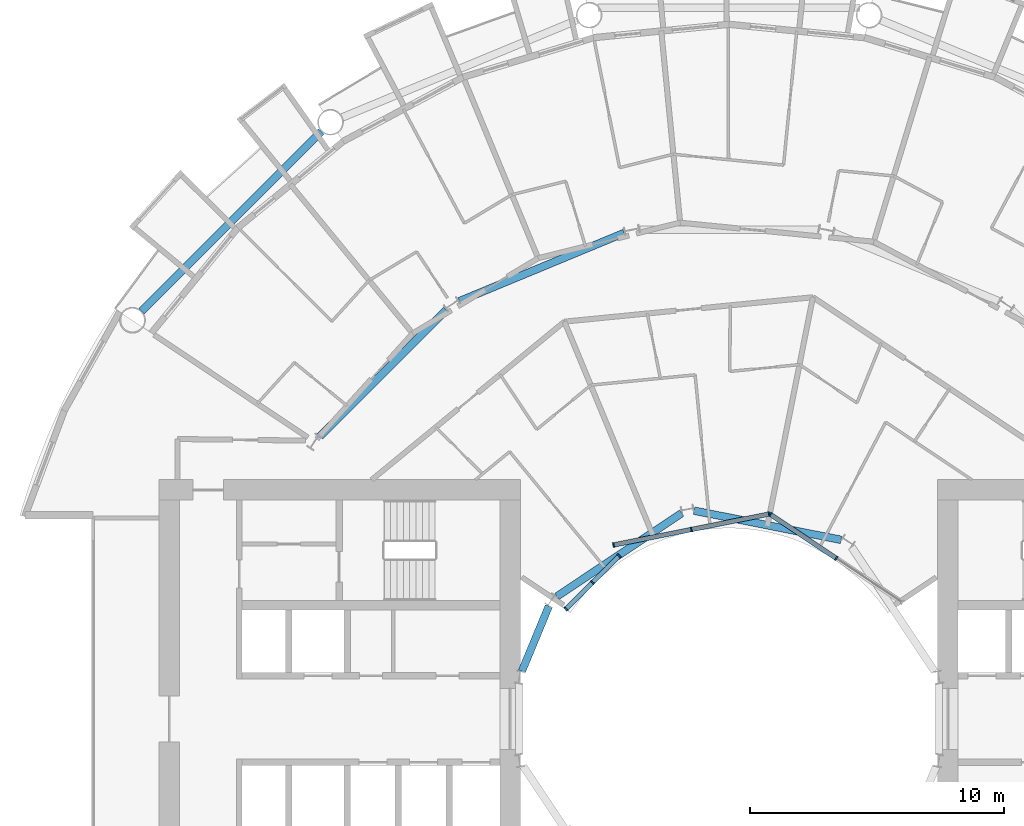
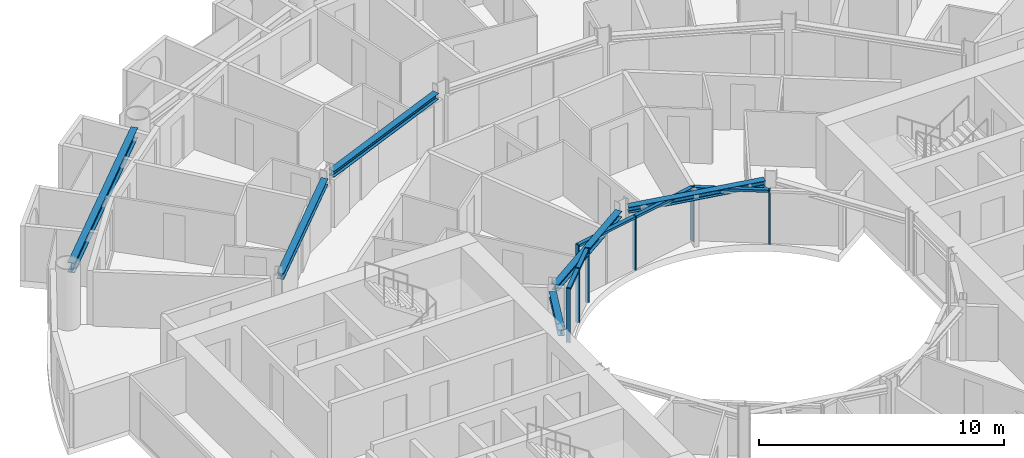
# One storey, part 7 of 26: 13 members, 6 beams, 3 elements without a shape of their own.
"""IFC4 building model written with IfcOpenShell, lengths in metres."""

from ifc_helpers import new_model, si_unit, direction, frame, origin, origin_2d, place, context, subcontext, project, spatial, rectangle, i_section, extrude, material, layer, layer_set, material_profile, profile_set, type_object, element, aggregate, save


model = new_model("IFC4")

# Units and contexts
model_context = context("Model", 3, precision=1e-05, world=origin(), true_north=direction((0.0, 1.0)))
body_context = subcontext(model_context, "Body", "Model", "MODEL_VIEW")
ifc_project = project(units=[si_unit("LENGTHUNIT", "METRE"), si_unit("AREAUNIT", "SQUARE_METRE"), si_unit("VOLUMEUNIT", "CUBIC_METRE"), si_unit("PLANEANGLEUNIT", "RADIAN"), si_unit("MASSUNIT", "GRAM", prefix="KILO")], contexts=[model_context])

# Site, building, storey
site_placement = place(None, origin())
site = spatial("IfcSite", under=ifc_project, at=site_placement, CompositionType="ELEMENT")
building_placement = place(site_placement, origin())
building = spatial("IfcBuilding", under=site, at=building_placement, Name="Maasbend Ring Residences", CompositionType="ELEMENT")
storey_placement = place(building_placement, frame((0.0, 0.0, 22.800048828125)))
storey = spatial("IfcBuildingStorey", under=building, at=storey_placement, Name="L05", CompositionType="ELEMENT", Elevation=22.800048828125)

# Curtain wall, members
ifc_material_1 = material(Name="Aluminium and clear glass", Category="aluminium")
ifc_layer = layer(ifc_material_1, 0.179931640625)
ifc_layer_set = layer_set([ifc_layer], Name="CW-W")
curtain_wall_type = type_object("IfcCurtainWallType", Name="CW-W", PredefinedType="NOTDEFINED", material=ifc_layer_set)
curtain_wall_1_placement = place(storey_placement, origin())
curtain_wall_1 = element("IfcCurtainWall", 1, at=curtain_wall_1_placement, inside=storey, type_object=curtain_wall_type, Name="Well curtain wall N1", PredefinedType="NOTDEFINED")
ifc_material_2 = material(Name="Aluminium 6063-T6", Category="aluminium")
ifc_material_profile_1 = material_profile(ifc_material_2, rectangle(XDim=0.179931640625, YDim=0.06005859375, at=origin_2d()), Name="AL 180x60")
ifc_profile_set_1 = profile_set([ifc_material_profile_1], Name="Aluminium 6063-T6")
member_type_1 = type_object("IfcMemberType", Name="CWM-W", PredefinedType="MULLION", material=ifc_profile_set_1)
member_1_placement = place(storey_placement, frame((4.216796875, 6.310791015625, 0.0), z_axis=(0.0, 0.0, 1.0), x_axis=(-0.55557023302, -0.831469612303, 0.0)))
member_1 = element("IfcMember", 2, at=member_1_placement, type_object=member_type_1, Name="Mullion well face", PredefinedType="MULLION", context=body_context, shape_type="SweptSolid", body=[
    extrude(rectangle(XDim=0.179931640625, YDim=0.06005859375, at=origin_2d()), origin(), (0.0, 0.0, 1.0), 2.699951171875),
])
member_2_placement = place(storey_placement, frame((1.627685546875, 8.040771484375, 0.0), z_axis=(0.0, 0.0, 1.0), x_axis=(-0.55557023302, -0.831469612303, 0.0)))
member_2 = element("IfcMember", 3, at=member_2_placement, type_object=member_type_1, Name="Mullion well face", PredefinedType="MULLION", context=body_context, shape_type="SweptSolid", body=[
    extrude(rectangle(XDim=0.179931640625, YDim=0.06005859375, at=origin_2d()), origin(), (0.0, 0.0, 1.0), 2.699951171875),
])

curtain_wall_2_placement = place(storey_placement, origin())
curtain_wall_2 = element("IfcCurtainWall", 4, at=curtain_wall_2_placement, inside=storey, type_object=curtain_wall_type, Name="Well curtain wall N2", PredefinedType="NOTDEFINED")
member_3_placement = place(storey_placement, frame((1.5732421875, 8.0517578125, 0.0), z_axis=(0.0, 0.0, 1.0), x_axis=(0.195090322016, -0.980785280403, 0.0)))
member_3 = element("IfcMember", 5, at=member_3_placement, type_object=member_type_1, Name="Mullion well face", PredefinedType="MULLION", context=body_context, shape_type="SweptSolid", body=[
    extrude(rectangle(XDim=0.179931640625, YDim=0.06005859375, at=origin_2d()), origin(), (0.0, 0.0, 1.0), 2.699951171875),
])
member_4_placement = place(storey_placement, frame((-1.480712890625, 7.444091796875, 0.0), z_axis=(0.0, 0.0, 1.0), x_axis=(0.195090322016, -0.980785280403, 0.0)))
member_4 = element("IfcMember", 6, at=member_4_placement, type_object=member_type_1, Name="Mullion well face", PredefinedType="MULLION", context=body_context, shape_type="SweptSolid", body=[
    extrude(rectangle(XDim=0.179931640625, YDim=0.06005859375, at=origin_2d()), origin(), (0.0, 0.0, 1.0), 2.699951171875),
])
member_5_placement = place(storey_placement, frame((-4.53466796875, 6.836669921875, 0.0), z_axis=(0.0, 0.0, 1.0), x_axis=(0.195090322016, -0.980785280403, 0.0)))
member_5 = element("IfcMember", 7, at=member_5_placement, type_object=member_type_1, Name="Mullion well face", PredefinedType="MULLION", context=body_context, shape_type="SweptSolid", body=[
    extrude(rectangle(XDim=0.179931640625, YDim=0.06005859375, at=origin_2d()), origin(), (0.0, 0.0, 1.0), 2.699951171875),
])

curtain_wall_3_placement = place(storey_placement, origin())
curtain_wall_3 = element("IfcCurtainWall", 8, at=curtain_wall_3_placement, inside=storey, type_object=curtain_wall_type, Name="Well curtain wall N3", PredefinedType="NOTDEFINED")
member_6_placement = place(storey_placement, frame((-4.320556640625, 6.413330078125, 0.0), z_axis=(0.0, 0.0, 1.0), x_axis=(0.707106781187, -0.707106781187, 0.0)))
member_6 = element("IfcMember", 9, at=member_6_placement, type_object=member_type_1, Name="Mullion well face", PredefinedType="MULLION", context=body_context, shape_type="SweptSolid", body=[
    extrude(rectangle(XDim=0.179931640625, YDim=0.06005859375, at=origin_2d()), origin(), (0.0, 0.0, 1.0), 2.699951171875),
])
member_7_placement = place(storey_placement, frame((-5.366943359375, 5.366943359375, 0.0), z_axis=(0.0, 0.0, 1.0), x_axis=(0.707106781187, -0.707106781187, 0.0)))
member_7 = element("IfcMember", 10, at=member_7_placement, type_object=member_type_1, Name="Mullion well face", PredefinedType="MULLION", context=body_context, shape_type="SweptSolid", body=[
    extrude(rectangle(XDim=0.179931640625, YDim=0.06005859375, at=origin_2d()), origin(), (0.0, 0.0, 1.0), 2.699951171875),
])
member_8_placement = place(storey_placement, frame((-6.413330078125, 4.320556640625, 0.0), z_axis=(0.0, 0.0, 1.0), x_axis=(0.707106781187, -0.707106781187, 0.0)))
member_8 = element("IfcMember", 11, at=member_8_placement, type_object=member_type_1, Name="Mullion well face", PredefinedType="MULLION", context=body_context, shape_type="SweptSolid", body=[
    extrude(rectangle(XDim=0.179931640625, YDim=0.06005859375, at=origin_2d()), origin(), (0.0, 0.0, 1.0), 2.699951171875),
])

# Member
ifc_material_3 = material(Name="Aluminium 6063-T6", Category="aluminium")
ifc_material_profile_2 = material_profile(ifc_material_3, rectangle(XDim=0.179931640625, YDim=0.1201171875, at=origin_2d()), Name="AL 180x120")
ifc_profile_set_2 = profile_set([ifc_material_profile_2], Name="Aluminium 6063-T6")
member_type_2 = type_object("IfcMemberType", Name="CWT-W", PredefinedType="USERDEFINED", material=ifc_profile_set_2)
member_9_placement = place(storey_placement, frame((4.19189453125, 6.32763671875, 2.639892578125), z_axis=(-0.831496422459, 0.555530106689, 0.0), x_axis=(-0.555530106689, -0.831496422459, 0.0)))
member_9 = element("IfcMember", 12, at=member_9_placement, type_object=member_type_2, Name="Transom well face", ObjectType="TRANSOM", PredefinedType="USERDEFINED", context=body_context, shape_type="SweptSolid", body=[
    extrude(rectangle(XDim=0.179931640625, YDim=0.1201171875, at=origin_2d()), origin(), (0.0, 0.0, 1.0), 3.053955078125),
])

aggregate(curtain_wall_1, [member_1, member_2, member_9])

member_10_placement = place(storey_placement, frame((1.5439453125, 8.0458984375, 2.639892578125), z_axis=(-0.980776956105, -0.195132166424, 0.0), x_axis=(0.195132166424, -0.980776956105, 0.0)))
member_10 = element("IfcMember", 13, at=member_10_placement, type_object=member_type_2, Name="Transom well face", ObjectType="TRANSOM", PredefinedType="USERDEFINED", context=body_context, shape_type="SweptSolid", body=[
    extrude(rectangle(XDim=0.179931640625, YDim=0.1201171875, at=origin_2d()), origin(), (0.0, 0.0, 1.0), 3.053955078125),
])

member_11_placement = place(storey_placement, frame((-1.51025390625, 7.438232421875, 2.639892578125), z_axis=(-0.980789210404, -0.19507056353, 0.0), x_axis=(0.19507056353, -0.980789210404, 0.0)))
member_11 = element("IfcMember", 14, at=member_11_placement, type_object=member_type_2, Name="Transom well face", ObjectType="TRANSOM", PredefinedType="USERDEFINED", context=body_context, shape_type="SweptSolid", body=[
    extrude(rectangle(XDim=0.179931640625, YDim=0.1201171875, at=origin_2d()), origin(), (0.0, 0.0, 1.0), 3.0537109375),
])

aggregate(curtain_wall_2, [member_3, member_4, member_5, member_10, member_11])

member_12_placement = place(storey_placement, frame((-4.341796875, 6.39208984375, 2.639892578125), z_axis=(-0.707106781187, -0.707106781187, 0.0), x_axis=(0.707106781187, -0.707106781187, 0.0)))
member_12 = element("IfcMember", 15, at=member_12_placement, type_object=member_type_2, Name="Transom well face", ObjectType="TRANSOM", PredefinedType="USERDEFINED", context=body_context, shape_type="SweptSolid", body=[
    extrude(rectangle(XDim=0.179931640625, YDim=0.1201171875, at=origin_2d()), origin(), (0.0, 0.0, 1.0), 1.419677734375),
])

member_13_placement = place(storey_placement, frame((-5.38818359375, 5.345703125, 2.639892578125), z_axis=(-0.707106781187, -0.707106781187, 0.0), x_axis=(0.707106781187, -0.707106781187, 0.0)))
member_13 = element("IfcMember", 16, at=member_13_placement, type_object=member_type_2, Name="Transom well face", ObjectType="TRANSOM", PredefinedType="USERDEFINED", context=body_context, shape_type="SweptSolid", body=[
    extrude(rectangle(XDim=0.179931640625, YDim=0.1201171875, at=origin_2d()), origin(), (0.0, 0.0, 1.0), 1.419677734375),
])

aggregate(curtain_wall_3, [member_6, member_7, member_8, member_12, member_13])

# Beams
ifc_material_4 = material(Name="Steel S355J2", Category="steel")
ifc_material_profile_3 = material_profile(ifc_material_4, i_section(OverallWidth=0.300048828125, OverallDepth=0.300048828125, WebThickness=0.010986328125, FlangeThickness=0.01904296875, FilletRadius=0.027099609375, at=origin_2d()), Name="HEB 300")
ifc_profile_set_3 = profile_set([ifc_material_profile_3], Name="Steel S355J2")
beam_type_1 = type_object("IfcBeamType", Name="Corridor ring beam HEB 300", PredefinedType="BEAM", material=ifc_profile_set_3)
beam_1_placement = place(storey_placement, frame((-4.11572265625, 19.102294921875, 2.550048828125), z_axis=(-0.923886196809, -0.38266734293, 0.0), x_axis=(0.38266734293, -0.923886196809, 0.0)))
element("IfcBeam", 17, at=beam_1_placement, inside=storey, type_object=beam_type_1, Name="Corridor ring beam", PredefinedType="BEAM", context=body_context, shape_type="SweptSolid", body=[
    extrude(i_section(OverallWidth=0.300048828125, OverallDepth=0.300048828125, WebThickness=0.010986328125, FlangeThickness=0.01904296875, FilletRadius=0.027099609375, at=origin_2d()), origin(), (0.0, 0.0, 1.0), 7.015380859375),
])
beam_2_placement = place(storey_placement, frame((-11.11279296875, 16.0732421875, 2.550048828125), z_axis=(-0.707106781187, -0.707106781187, 0.0), x_axis=(0.707106781187, -0.707106781187, 0.0)))
element("IfcBeam", 18, at=beam_2_placement, inside=storey, type_object=beam_type_1, Name="Corridor ring beam", PredefinedType="BEAM", context=body_context, shape_type="SweptSolid", body=[
    extrude(i_section(OverallWidth=0.300048828125, OverallDepth=0.300048828125, WebThickness=0.010986328125, FlangeThickness=0.01904296875, FilletRadius=0.027099609375, at=origin_2d()), origin(), (0.0, 0.0, 1.0), 7.01513671875),
])
ifc_material_5 = material(Name="Steel S355J2", Category="steel")
ifc_material_profile_4 = material_profile(ifc_material_5, i_section(OverallWidth=0.300048828125, OverallDepth=0.5, WebThickness=0.014404296875, FlangeThickness=0.028076171875, FilletRadius=0.027099609375, at=origin_2d()), Name="HEB 500")
ifc_profile_set_4 = profile_set([ifc_material_profile_4], Name="Steel S355J2")
beam_type_2 = type_object("IfcBeamType", Name="Spandrel ring beam HEB 500", PredefinedType="SPANDREL", material=ifc_profile_set_4)
beam_3_placement = place(storey_placement, frame((-16.0263671875, 23.088134765625, 2.449951171875), z_axis=(-0.707106781187, -0.707106781187, 0.0), x_axis=(0.707106781187, -0.707106781187, 0.0)))
element("IfcBeam", 19, at=beam_3_placement, inside=storey, type_object=beam_type_2, Name="Spandrel ring beam", PredefinedType="SPANDREL", context=body_context, shape_type="SweptSolid", body=[
    extrude(i_section(OverallWidth=0.300048828125, OverallDepth=0.5, WebThickness=0.014404296875, FlangeThickness=0.028076171875, FilletRadius=0.027099609375, at=origin_2d()), origin(), (0.0, 0.0, 1.0), 9.98681640625),
])
ifc_material_6 = material(Name="Steel S355J2", Category="steel")
ifc_material_profile_5 = material_profile(ifc_material_6, i_section(OverallWidth=0.300048828125, OverallDepth=0.300048828125, WebThickness=0.010986328125, FlangeThickness=0.01904296875, FilletRadius=0.027099609375, at=origin_2d()), Name="HEB 300")
ifc_profile_set_5 = profile_set([ifc_material_profile_5], Name="Steel S355J2")
beam_type_3 = type_object("IfcBeamType", Name="Well edge beam HEB 300", PredefinedType="BEAM", material=ifc_profile_set_5)
beam_4_placement = place(storey_placement, frame((4.4013671875, 7.037109375, 2.550048828125), z_axis=(-0.980784282486, 0.195095338819, 0.0), x_axis=(-0.195095338819, -0.980784282486, 0.0)))
element("IfcBeam", 20, at=beam_4_placement, inside=storey, type_object=beam_type_3, Name="Well edge beam", PredefinedType="BEAM", context=body_context, shape_type="SweptSolid", body=[
    extrude(i_section(OverallWidth=0.300048828125, OverallDepth=0.300048828125, WebThickness=0.010986328125, FlangeThickness=0.01904296875, FilletRadius=0.027099609375, at=origin_2d()), origin(), (0.0, 0.0, 1.0), 5.8876953125),
])
beam_5_placement = place(storey_placement, frame((-1.86376953125, 8.08837890625, 2.550048828125), z_axis=(-0.831456549723, -0.555589782054, 0.0), x_axis=(0.555589782054, -0.831456549723, 0.0)))
element("IfcBeam", 21, at=beam_5_placement, inside=storey, type_object=beam_type_3, Name="Well edge beam", PredefinedType="BEAM", context=body_context, shape_type="SweptSolid", body=[
    extrude(i_section(OverallWidth=0.300048828125, OverallDepth=0.300048828125, WebThickness=0.010986328125, FlangeThickness=0.01904296875, FilletRadius=0.027099609375, at=origin_2d()), origin(), (0.0, 0.0, 1.0), 5.887939453125),
])
beam_6_placement = place(storey_placement, frame((-7.081787109375, 4.431396484375, 2.550048828125), z_axis=(-0.382723119906, -0.923863092395, 0.0), x_axis=(0.923863092395, -0.382723119906, 0.0)))
element("IfcBeam", 22, at=beam_6_placement, inside=storey, type_object=beam_type_3, Name="Well edge beam", PredefinedType="BEAM", context=body_context, shape_type="SweptSolid", body=[
    extrude(i_section(OverallWidth=0.300048828125, OverallDepth=0.300048828125, WebThickness=0.010986328125, FlangeThickness=0.01904296875, FilletRadius=0.027099609375, at=origin_2d()), origin(), (0.0, 0.0, 1.0), 2.767822265625),
])

save(model, "model.ifc")
